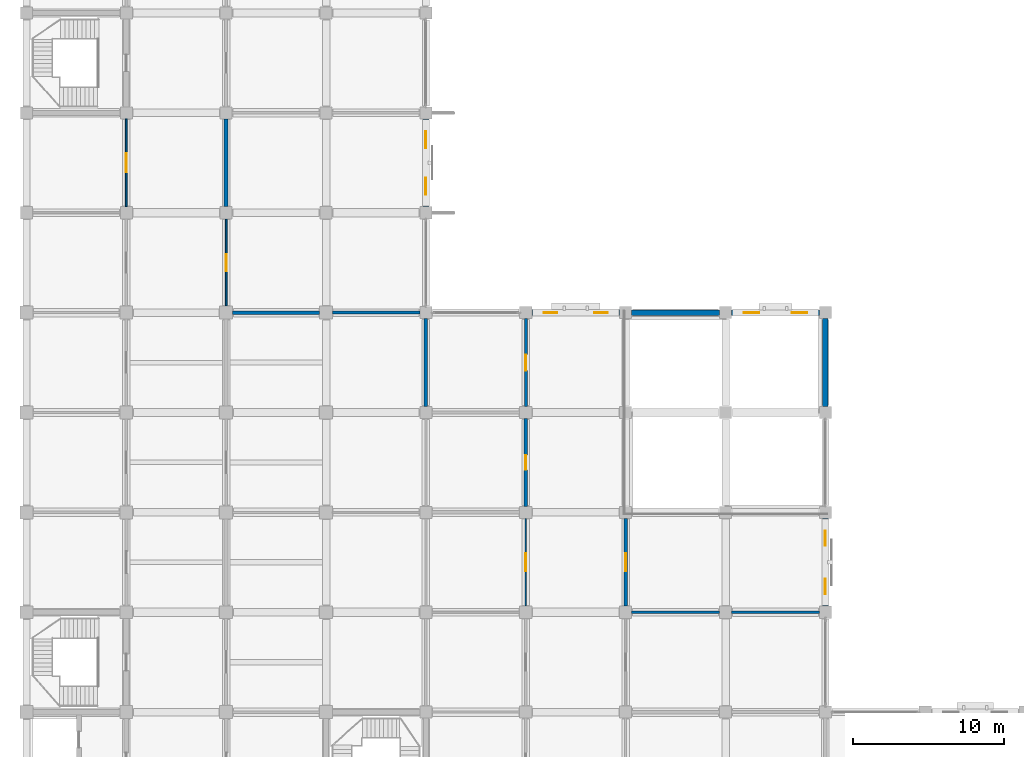
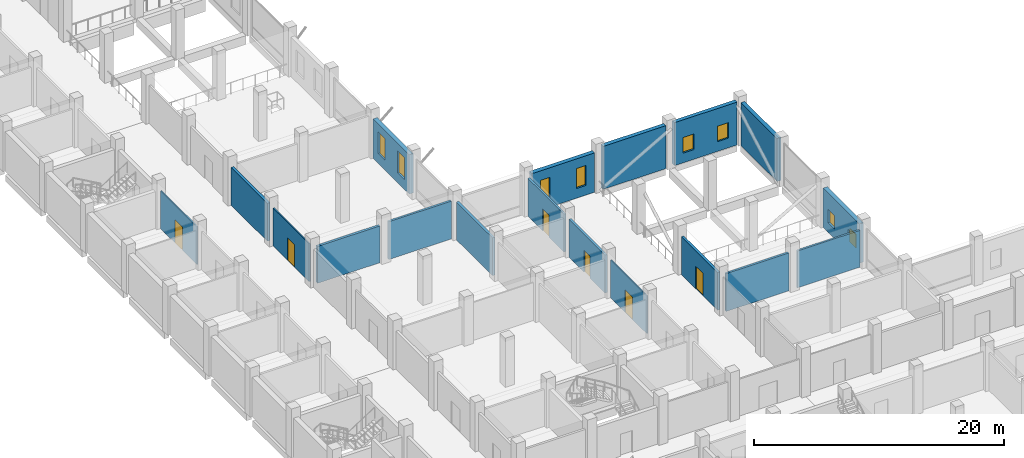
# One storey, part 20 of 34: 18 walls, 8 windows, 6 doors, 14 openings.
"""IFC4 building model written with IfcOpenShell, lengths in metres."""

from ifc_helpers import new_model, si_unit, direction, frame, frame_2d, origin, place, context, subcontext, project, spatial, rectangle, extrude, material, layer, layer_set, type_object, element, fill, save


model = new_model("IFC4")

# Units and contexts
model_context = context("Model", 3, precision=1e-05, world=origin(), true_north=direction((0.0, 1.0)))
body_context = subcontext(model_context, "Body", "Model", "MODEL_VIEW")
ifc_project = project(units=[si_unit("LENGTHUNIT", "METRE"), si_unit("AREAUNIT", "SQUARE_METRE"), si_unit("VOLUMEUNIT", "CUBIC_METRE"), si_unit("PLANEANGLEUNIT", "RADIAN"), si_unit("MASSUNIT", "GRAM", prefix="KILO")], contexts=[model_context])

# Site, building, storey
site_placement = place(None, origin())
site = spatial("IfcSite", under=ifc_project, at=site_placement, CompositionType="ELEMENT")
building_placement = place(site_placement, origin())
building = spatial("IfcBuilding", under=site, at=building_placement, Name="Rusizi Kubbe Research Institute", CompositionType="ELEMENT")
storey_placement = place(building_placement, frame((0.0, 0.0, 5.39990234375)))
storey = spatial("IfcBuildingStorey", under=building, at=storey_placement, Name="L01", CompositionType="ELEMENT", Elevation=5.39990234375)

# Wall, openings, windows
ifc_material_1 = material(Name="Volcanic Basalt Ashlar Masonry", Category="masonry")
ifc_layer_1 = layer(ifc_material_1, 0.385009765625)
ifc_layer_set_1 = layer_set([ifc_layer_1], Name="Volcanic Basalt Ashlar Masonry")
wall_type_1 = type_object("IfcWallType", Name="EW-04", PredefinedType="SOLIDWALL", material=ifc_layer_set_1)
wall_1_placement = place(storey_placement, frame((26.39990234375, 59.800048828125, 0.0), z_axis=(0.0, 0.0, 1.0), x_axis=(0.0, 1.0, 0.0)))
wall_1 = element("IfcWall", 1, at=wall_1_placement, inside=storey, type_object=wall_type_1, Name="Ablaq Stone Exterior Wall L01 V4-9", PredefinedType="SOLIDWALL", context=body_context, shape_type="SweptSolid", body=[
    extrude(rectangle(XDim=5.800048828125, YDim=0.385009765625, at=frame_2d((2.89990234375, 0.0))), origin(), (0.0, 0.0, 1.0), 3.85009765625),
])
opening_1_placement = place(wall_1_placement, frame((0.800048828125, 0.0, 0.949951171875)))
opening_1 = element("IfcOpeningElement", 2, at=opening_1_placement, cuts=wall_1, Name="Opening WN-34", PredefinedType="OPENING", context=body_context, shape_type="SweptSolid", body=[
    extrude(rectangle(XDim=1.1201171875, YDim=2.139892578125, at=frame_2d((0.56005859375, 1.06982421875))), frame((0.0, 0.202392578125, 0.0), z_axis=(0.0, -1.0, 0.0), x_axis=(1.0, 0.0, 0.0)), (0.0, 0.0, 1.0), 0.405029296875),
])
opening_2_placement = place(wall_1_placement, frame((3.8798828125, 0.0, 0.949951171875)))
opening_2 = element("IfcOpeningElement", 3, at=opening_2_placement, cuts=wall_1, Name="Opening WN-34", PredefinedType="OPENING", context=body_context, shape_type="SweptSolid", body=[
    extrude(rectangle(XDim=1.1201171875, YDim=2.139892578125, at=frame_2d((0.56005859375, 1.06982421875))), frame((0.0, 0.202392578125, 0.0), z_axis=(0.0, -1.0, 0.0), x_axis=(1.0, 0.0, 0.0)), (0.0, 0.0, 1.0), 0.405029296875),
])
ifc_material_2 = material(Name="Aluminium Frame and Solar-Control Double Glazing", Category="glass")
window_type_1 = type_object("IfcWindowType", Name="WN-34", PartitioningType="SINGLE_PANEL", PredefinedType="WINDOW", material=ifc_material_2)
window_1_placement = place(opening_1_placement, origin())
window_1 = element("IfcWindow", 4, at=window_1_placement, inside=storey, type_object=window_type_1, Name="Casement Window WN-34 L01", OverallHeight=2.139892578125, OverallWidth=1.1201171875, PartitioningType="SINGLE_PANEL", PredefinedType="WINDOW", context=body_context, shape_type="SweptSolid", body=[
    extrude(rectangle(XDim=1.1201171875, YDim=2.139892578125, at=frame_2d((0.56005859375, 1.06982421875))), frame((0.0, 0.030029296875, 0.0), z_axis=(0.0, -1.0, 0.0), x_axis=(1.0, 0.0, 0.0)), (0.0, 0.0, 1.0), 0.06005859375),
])
fill(opening_1, window_1)
window_2_placement = place(opening_2_placement, origin())
window_2 = element("IfcWindow", 5, at=window_2_placement, inside=storey, type_object=window_type_1, Name="Casement Window WN-34 L01", OverallHeight=2.139892578125, OverallWidth=1.1201171875, PartitioningType="SINGLE_PANEL", PredefinedType="WINDOW", context=body_context, shape_type="SweptSolid", body=[
    extrude(rectangle(XDim=1.1201171875, YDim=2.139892578125, at=frame_2d((0.56005859375, 1.06982421875))), frame((0.0, 0.030029296875, 0.0), z_axis=(0.0, -1.0, 0.0), x_axis=(1.0, 0.0, 0.0)), (0.0, 0.0, 1.0), 0.06005859375),
])
fill(opening_2, window_2)

wall_2_placement = place(storey_placement, frame((33.39990234375, 52.800048828125, 0.0), z_axis=(0.0, 0.0, 1.0), x_axis=(1.0, 0.0, 0.0)))
wall_2 = element("IfcWall", 6, at=wall_2_placement, inside=storey, type_object=wall_type_1, Name="Ablaq Stone Exterior Wall L01 H5-8", PredefinedType="SOLIDWALL", context=body_context, shape_type="SweptSolid", body=[
    extrude(rectangle(XDim=5.800048828125, YDim=0.385009765625, at=frame_2d((2.89990234375, 0.0))), origin(), (0.0, 0.0, 1.0), 3.85009765625),
])
opening_3_placement = place(wall_2_placement, frame((0.800048828125, 0.0, 0.949951171875)))
opening_3 = element("IfcOpeningElement", 7, at=opening_3_placement, cuts=wall_2, Name="Opening WN-04", PredefinedType="OPENING", context=body_context, shape_type="SweptSolid", body=[
    extrude(rectangle(XDim=0.8798828125, YDim=1.9599609375, at=frame_2d((0.43994140625, 0.97998046875))), frame((0.0, 0.202392578125, 0.0), z_axis=(0.0, -1.0, 0.0), x_axis=(1.0, 0.0, 0.0)), (0.0, 0.0, 1.0), 0.405029296875),
])
opening_4_placement = place(wall_2_placement, frame((4.1201171875, 0.0, 0.949951171875)))
opening_4 = element("IfcOpeningElement", 8, at=opening_4_placement, cuts=wall_2, Name="Opening WN-04", PredefinedType="OPENING", context=body_context, shape_type="SweptSolid", body=[
    extrude(rectangle(XDim=0.8798828125, YDim=1.9599609375, at=frame_2d((0.43994140625, 0.97998046875))), frame((0.0, 0.202392578125, 0.0), z_axis=(0.0, -1.0, 0.0), x_axis=(1.0, 0.0, 0.0)), (0.0, 0.0, 1.0), 0.405029296875),
])
ifc_material_3 = material(Name="Aluminium Frame and Solar-Control Double Glazing", Category="glass")
window_type_2 = type_object("IfcWindowType", Name="WN-04", PartitioningType="SINGLE_PANEL", PredefinedType="WINDOW", material=ifc_material_3)
window_3_placement = place(opening_3_placement, origin())
window_3 = element("IfcWindow", 9, at=window_3_placement, inside=storey, type_object=window_type_2, Name="Casement Window WN-04 L01", OverallHeight=1.9599609375, OverallWidth=0.8798828125, PartitioningType="SINGLE_PANEL", PredefinedType="WINDOW", context=body_context, shape_type="SweptSolid", body=[
    extrude(rectangle(XDim=0.8798828125, YDim=1.9599609375, at=frame_2d((0.43994140625, 0.97998046875))), frame((0.0, 0.030029296875, 0.0), z_axis=(0.0, -1.0, 0.0), x_axis=(1.0, 0.0, 0.0)), (0.0, 0.0, 1.0), 0.06005859375),
])
fill(opening_3, window_3)
window_4_placement = place(opening_4_placement, origin())
window_4 = element("IfcWindow", 10, at=window_4_placement, inside=storey, type_object=window_type_2, Name="Casement Window WN-04 L01", OverallHeight=1.9599609375, OverallWidth=0.8798828125, PartitioningType="SINGLE_PANEL", PredefinedType="WINDOW", context=body_context, shape_type="SweptSolid", body=[
    extrude(rectangle(XDim=0.8798828125, YDim=1.9599609375, at=frame_2d((0.43994140625, 0.97998046875))), frame((0.0, 0.030029296875, 0.0), z_axis=(0.0, -1.0, 0.0), x_axis=(1.0, 0.0, 0.0)), (0.0, 0.0, 1.0), 0.06005859375),
])
fill(opening_4, window_4)

wall_3_placement = place(storey_placement, frame((52.800048828125, 33.39990234375, 0.0), z_axis=(0.0, 0.0, 1.0), x_axis=(0.0, 1.0, 0.0)))
wall_3 = element("IfcWall", 11, at=wall_3_placement, inside=storey, type_object=wall_type_1, Name="Ablaq Stone Exterior Wall L01 V8-5", PredefinedType="SOLIDWALL", context=body_context, shape_type="SweptSolid", body=[
    extrude(rectangle(XDim=5.800048828125, YDim=0.385009765625, at=frame_2d((2.89990234375, 0.0))), origin(), (0.0, 0.0, 1.0), 3.85009765625),
])
opening_5_placement = place(wall_3_placement, frame((0.800048828125, 0.0, 0.949951171875)))
opening_5 = element("IfcOpeningElement", 12, at=opening_5_placement, cuts=wall_3, Name="Opening WN-05", PredefinedType="OPENING", context=body_context, shape_type="SweptSolid", body=[
    extrude(rectangle(XDim=1.02001953125, YDim=1.300048828125, at=frame_2d((0.510009765625, 0.64990234375))), frame((0.0, 0.202392578125, 0.0), z_axis=(0.0, -1.0, 0.0), x_axis=(1.0, 0.0, 0.0)), (0.0, 0.0, 1.0), 0.405029296875),
])
opening_6_placement = place(wall_3_placement, frame((3.97998046875, 0.0, 0.949951171875)))
opening_6 = element("IfcOpeningElement", 13, at=opening_6_placement, cuts=wall_3, Name="Opening WN-05", PredefinedType="OPENING", context=body_context, shape_type="SweptSolid", body=[
    extrude(rectangle(XDim=1.02001953125, YDim=1.300048828125, at=frame_2d((0.510009765625, 0.64990234375))), frame((0.0, 0.202392578125, 0.0), z_axis=(0.0, -1.0, 0.0), x_axis=(1.0, 0.0, 0.0)), (0.0, 0.0, 1.0), 0.405029296875),
])
ifc_material_4 = material(Name="Aluminium Frame and Solar-Control Double Glazing", Category="glass")
window_type_3 = type_object("IfcWindowType", Name="WN-05", PartitioningType="SINGLE_PANEL", PredefinedType="WINDOW", material=ifc_material_4)
window_5_placement = place(opening_5_placement, origin())
window_5 = element("IfcWindow", 14, at=window_5_placement, inside=storey, type_object=window_type_3, Name="Casement Window WN-05 L01", OverallHeight=1.300048828125, OverallWidth=1.02001953125, PartitioningType="SINGLE_PANEL", PredefinedType="WINDOW", context=body_context, shape_type="SweptSolid", body=[
    extrude(rectangle(XDim=1.02001953125, YDim=1.300048828125, at=frame_2d((0.510009765625, 0.64990234375))), frame((0.0, 0.030029296875, 0.0), z_axis=(0.0, -1.0, 0.0), x_axis=(1.0, 0.0, 0.0)), (0.0, 0.0, 1.0), 0.06005859375),
])
fill(opening_5, window_5)
window_6_placement = place(opening_6_placement, origin())
window_6 = element("IfcWindow", 15, at=window_6_placement, inside=storey, type_object=window_type_3, Name="Casement Window WN-05 L01", OverallHeight=1.300048828125, OverallWidth=1.02001953125, PartitioningType="SINGLE_PANEL", PredefinedType="WINDOW", context=body_context, shape_type="SweptSolid", body=[
    extrude(rectangle(XDim=1.02001953125, YDim=1.300048828125, at=frame_2d((0.510009765625, 0.64990234375))), frame((0.0, 0.030029296875, 0.0), z_axis=(0.0, -1.0, 0.0), x_axis=(1.0, 0.0, 0.0)), (0.0, 0.0, 1.0), 0.06005859375),
])
fill(opening_6, window_6)

# Wall
ifc_material_5 = material(Name="Volcanic Basalt Ashlar Masonry", Category="masonry")
ifc_layer_2 = layer(ifc_material_5, 0.3701171875)
ifc_layer_set_2 = layer_set([ifc_layer_2], Name="Volcanic Basalt Ashlar Masonry")
wall_type_2 = type_object("IfcWallType", Name="EW-05", PredefinedType="SOLIDWALL", material=ifc_layer_set_2)
wall_4_placement = place(storey_placement, frame((40.0, 52.800048828125, 0.0), z_axis=(0.0, 0.0, 1.0), x_axis=(1.0, 0.0, 0.0)))
element("IfcWall", 16, at=wall_4_placement, inside=storey, type_object=wall_type_2, Name="Ablaq Stone Exterior Wall L01 H6-8", PredefinedType="SOLIDWALL", context=body_context, shape_type="SweptSolid", body=[
    extrude(rectangle(XDim=5.800048828125, YDim=0.3701171875, at=frame_2d((2.89990234375, 0.0))), origin(), (0.0, 0.0, 1.0), 4.2001953125),
])

# Wall, openings, windows
ifc_material_6 = material(Name="Volcanic Basalt Ashlar Masonry", Category="masonry")
ifc_layer_3 = layer(ifc_material_6, 0.35498046875)
ifc_layer_set_3 = layer_set([ifc_layer_3], Name="Volcanic Basalt Ashlar Masonry")
wall_type_3 = type_object("IfcWallType", Name="EW-06", PredefinedType="SOLIDWALL", material=ifc_layer_set_3)
wall_5_placement = place(storey_placement, frame((46.60009765625, 52.800048828125, 0.0), z_axis=(0.0, 0.0, 1.0), x_axis=(1.0, 0.0, 0.0)))
wall_5 = element("IfcWall", 17, at=wall_5_placement, inside=storey, type_object=wall_type_3, Name="Ablaq Stone Exterior Wall L01 H7-8", PredefinedType="SOLIDWALL", context=body_context, shape_type="SweptSolid", body=[
    extrude(rectangle(XDim=5.7998046875, YDim=0.35498046875, at=frame_2d((2.89990234375, 0.0))), origin(), (0.0, 0.0, 1.0), 4.2001953125),
])
opening_7_placement = place(wall_5_placement, frame((0.800048828125, 0.0, 0.949951171875)))
opening_7 = element("IfcOpeningElement", 18, at=opening_7_placement, cuts=wall_5, Name="Opening WN-06", PredefinedType="OPENING", context=body_context, shape_type="SweptSolid", body=[
    extrude(rectangle(XDim=1.02001953125, YDim=1.52001953125, at=frame_2d((0.510009765625, 0.760009765625))), frame((0.0, 0.1875, 0.0), z_axis=(0.0, -1.0, 0.0), x_axis=(1.0, 0.0, 0.0)), (0.0, 0.0, 1.0), 0.375),
])
opening_8_placement = place(wall_5_placement, frame((3.97998046875, 0.0, 0.949951171875)))
opening_8 = element("IfcOpeningElement", 19, at=opening_8_placement, cuts=wall_5, Name="Opening WN-06", PredefinedType="OPENING", context=body_context, shape_type="SweptSolid", body=[
    extrude(rectangle(XDim=1.02001953125, YDim=1.52001953125, at=frame_2d((0.510009765625, 0.760009765625))), frame((0.0, 0.1875, 0.0), z_axis=(0.0, -1.0, 0.0), x_axis=(1.0, 0.0, 0.0)), (0.0, 0.0, 1.0), 0.375),
])
ifc_material_7 = material(Name="Aluminium Frame and Solar-Control Double Glazing", Category="glass")
window_type_4 = type_object("IfcWindowType", Name="WN-06", PartitioningType="SINGLE_PANEL", PredefinedType="WINDOW", material=ifc_material_7)
window_7_placement = place(opening_7_placement, origin())
window_7 = element("IfcWindow", 20, at=window_7_placement, inside=storey, type_object=window_type_4, Name="Casement Window WN-06 L01", OverallHeight=1.52001953125, OverallWidth=1.02001953125, PartitioningType="SINGLE_PANEL", PredefinedType="WINDOW", context=body_context, shape_type="SweptSolid", body=[
    extrude(rectangle(XDim=1.02001953125, YDim=1.52001953125, at=frame_2d((0.510009765625, 0.760009765625))), frame((0.0, 0.030029296875, 0.0), z_axis=(0.0, -1.0, 0.0), x_axis=(1.0, 0.0, 0.0)), (0.0, 0.0, 1.0), 0.06005859375),
])
fill(opening_7, window_7)
window_8_placement = place(opening_8_placement, origin())
window_8 = element("IfcWindow", 21, at=window_8_placement, inside=storey, type_object=window_type_4, Name="Casement Window WN-06 L01", OverallHeight=1.52001953125, OverallWidth=1.02001953125, PartitioningType="SINGLE_PANEL", PredefinedType="WINDOW", context=body_context, shape_type="SweptSolid", body=[
    extrude(rectangle(XDim=1.02001953125, YDim=1.52001953125, at=frame_2d((0.510009765625, 0.760009765625))), frame((0.0, 0.030029296875, 0.0), z_axis=(0.0, -1.0, 0.0), x_axis=(1.0, 0.0, 0.0)), (0.0, 0.0, 1.0), 0.06005859375),
])
fill(opening_8, window_8)

# Walls
wall_6_placement = place(storey_placement, frame((52.800048828125, 46.60009765625, 0.0), z_axis=(0.0, 0.0, 1.0), x_axis=(0.0, 1.0, 0.0)))
element("IfcWall", 22, at=wall_6_placement, inside=storey, type_object=wall_type_3, Name="Ablaq Stone Exterior Wall L01 V8-7", PredefinedType="SOLIDWALL", context=body_context, shape_type="SweptSolid", body=[
    extrude(rectangle(XDim=5.7998046875, YDim=0.35498046875, at=frame_2d((2.89990234375, 0.0))), origin(), (0.0, 0.0, 1.0), 4.2001953125),
])
ifc_material_8 = material(Name="Concrete Blockwork Fire Partition", Category="masonry")
ifc_layer_4 = layer(ifc_material_8, 0.22509765625)
ifc_layer_set_4 = layer_set([ifc_layer_4], Name="Concrete Blockwork Fire Partition")
wall_type_4 = type_object("IfcWallType", Name="IW-01", PredefinedType="PARTITIONING", material=ifc_layer_set_4)
wall_7_placement = place(storey_placement, frame((13.625, 52.800048828125, 0.0), z_axis=(0.0, 0.0, 1.0), x_axis=(1.0, 0.0, 0.0)))
element("IfcWall", 23, at=wall_7_placement, inside=storey, type_object=wall_type_4, Name="Interior Partition Wall L01 H2-8", PredefinedType="PARTITIONING", context=body_context, shape_type="SweptSolid", body=[
    extrude(rectangle(XDim=5.75, YDim=0.22509765625, at=frame_2d((2.875, 0.0))), origin(), (0.0, 0.0, 1.0), 3.60009765625),
])
wall_8_placement = place(storey_placement, frame((26.39990234375, 46.60009765625, 0.0), z_axis=(0.0, 0.0, 1.0), x_axis=(0.0, 1.0, 0.0)))
element("IfcWall", 24, at=wall_8_placement, inside=storey, type_object=wall_type_4, Name="Interior Partition Wall L01 V4-7", PredefinedType="PARTITIONING", context=body_context, shape_type="SweptSolid", body=[
    extrude(rectangle(XDim=5.7998046875, YDim=0.22509765625, at=frame_2d((2.89990234375, 0.0))), origin(), (0.0, 0.0, 1.0), 3.7001953125),
])

# Wall, opening, door
wall_9_placement = place(storey_placement, frame((33.0, 40.0, 0.0), z_axis=(0.0, 0.0, 1.0), x_axis=(0.0, 1.0, 0.0)))
wall_9 = element("IfcWall", 25, at=wall_9_placement, inside=storey, type_object=wall_type_4, Name="Interior Partition Wall L01 V5-6", PredefinedType="PARTITIONING", context=body_context, shape_type="SweptSolid", body=[
    extrude(rectangle(XDim=5.800048828125, YDim=0.22509765625, at=frame_2d((2.89990234375, 0.0))), origin(), (0.0, 0.0, 1.0), 3.7001953125),
])
opening_9_placement = place(wall_9_placement, frame((2.409912109375, 0.0, 0.0)))
opening_9 = element("IfcOpeningElement", 26, at=opening_9_placement, cuts=wall_9, Name="Opening D-20", PredefinedType="OPENING", context=body_context, shape_type="SweptSolid", body=[
    extrude(rectangle(XDim=0.97998046875, YDim=2.14990234375, at=frame_2d((0.489990234375, 1.074951171875))), frame((0.0, 0.12255859375, 0.0), z_axis=(0.0, -1.0, 0.0), x_axis=(1.0, 0.0, 0.0)), (0.0, 0.0, 1.0), 0.2451171875),
])
ifc_material_9 = material(Name="Fire-Rated Steel Frame and Acoustic Timber Leaf", Category="wood")
door_type_1 = type_object("IfcDoorType", Name="ID-OFF-980", OperationType="NOTDEFINED", PredefinedType="DOOR", material=ifc_material_9)
door_1_placement = place(opening_9_placement, origin())
door_1 = element("IfcDoor", 27, at=door_1_placement, inside=storey, type_object=door_type_1, Name="Door to Write-up Office (L01-ELBW-06)", OperationType="SINGLE_SWING_LEFT", OverallHeight=2.14990234375, OverallWidth=0.97998046875, PredefinedType="DOOR", context=body_context, shape_type="SweptSolid", body=[
    extrude(rectangle(XDim=0.97998046875, YDim=2.14990234375, at=frame_2d((0.489990234375, 1.074951171875))), frame((0.0, 0.02490234375, 0.0), z_axis=(0.0, -1.0, 0.0), x_axis=(1.0, 0.0, 0.0)), (0.0, 0.0, 1.0), 0.050048828125),
])
fill(opening_9, door_1)

wall_10_placement = place(storey_placement, frame((39.60009765625, 33.39990234375, 0.0), z_axis=(0.0, 0.0, 1.0), x_axis=(0.0, 1.0, 0.0)))
wall_10 = element("IfcWall", 28, at=wall_10_placement, inside=storey, type_object=wall_type_4, Name="Interior Partition Wall L01 V6-5", PredefinedType="PARTITIONING", context=body_context, shape_type="SweptSolid", body=[
    extrude(rectangle(XDim=5.800048828125, YDim=0.22509765625, at=frame_2d((2.89990234375, 0.0))), origin(), (0.0, 0.0, 1.0), 3.7001953125),
])
opening_10_placement = place(wall_10_placement, frame((2.31005859375, 0.0, 0.0)))
opening_10 = element("IfcOpeningElement", 29, at=opening_10_placement, cuts=wall_10, Name="Opening D-19", PredefinedType="OPENING", context=body_context, shape_type="SweptSolid", body=[
    extrude(rectangle(XDim=1.179931640625, YDim=2.199951171875, at=frame_2d((0.58984375, 1.10009765625))), frame((0.0, 0.12255859375, 0.0), z_axis=(0.0, -1.0, 0.0), x_axis=(1.0, 0.0, 0.0)), (0.0, 0.0, 1.0), 0.2451171875),
])
ifc_material_10 = material(Name="Fire-Rated Steel Frame and Acoustic Timber Leaf", Category="wood")
door_type_2 = type_object("IfcDoorType", Name="ID-OFF-118", OperationType="NOTDEFINED", PredefinedType="DOOR", material=ifc_material_10)
door_2_placement = place(opening_10_placement, origin())
door_2 = element("IfcDoor", 30, at=door_2_placement, inside=storey, type_object=door_type_2, Name="Door to Write-up Office (L01-ELBE-05)", OperationType="SINGLE_SWING_RIGHT", OverallHeight=2.199951171875, OverallWidth=1.179931640625, PredefinedType="DOOR", context=body_context, shape_type="SweptSolid", body=[
    extrude(rectangle(XDim=1.179931640625, YDim=2.199951171875, at=frame_2d((0.58984375, 1.10009765625))), frame((0.0, 0.02490234375, 0.0), z_axis=(0.0, -1.0, 0.0), x_axis=(1.0, 0.0, 0.0)), (0.0, 0.0, 1.0), 0.050048828125),
])
fill(opening_10, door_2)

# Wall
ifc_material_11 = material(Name="Insulated Cleanroom Partition", Category="masonry")
ifc_layer_5 = layer(ifc_material_11, 0.195068359375)
ifc_layer_set_5 = layer_set([ifc_layer_5], Name="Insulated Cleanroom Partition")
wall_type_5 = type_object("IfcWallType", Name="IW-02", PredefinedType="PARTITIONING", material=ifc_layer_set_5)
wall_11_placement = place(storey_placement, frame((20.22509765625, 52.800048828125, 0.0), z_axis=(0.0, 0.0, 1.0), x_axis=(1.0, 0.0, 0.0)))
element("IfcWall", 31, at=wall_11_placement, inside=storey, type_object=wall_type_5, Name="Interior Partition Wall L01 H3-8", PredefinedType="PARTITIONING", context=body_context, shape_type="SweptSolid", body=[
    extrude(rectangle(XDim=5.77490234375, YDim=0.195068359375, at=frame_2d((2.887451171875, 0.0))), origin(), (0.0, 0.0, 1.0), 3.7001953125),
])

# Wall, opening, door
wall_12_placement = place(storey_placement, frame((33.0, 46.60009765625, 0.0), z_axis=(0.0, 0.0, 1.0), x_axis=(0.0, 1.0, 0.0)))
wall_12 = element("IfcWall", 32, at=wall_12_placement, inside=storey, type_object=wall_type_5, Name="Interior Partition Wall L01 V5-7", PredefinedType="PARTITIONING", context=body_context, shape_type="SweptSolid", body=[
    extrude(rectangle(XDim=5.7998046875, YDim=0.195068359375, at=frame_2d((2.89990234375, 0.0))), origin(), (0.0, 0.0, 1.0), 3.7001953125),
])
opening_11_placement = place(wall_12_placement, frame((2.375, 0.0, 0.0)))
opening_11 = element("IfcOpeningElement", 33, at=opening_11_placement, cuts=wall_12, Name="Opening D-16", PredefinedType="OPENING", context=body_context, shape_type="SweptSolid", body=[
    extrude(rectangle(XDim=1.050048828125, YDim=2.14990234375, at=frame_2d((0.52490234375, 1.074951171875))), frame((0.0, 0.107421875, 0.0), z_axis=(0.0, -1.0, 0.0), x_axis=(1.0, 0.0, 0.0)), (0.0, 0.0, 1.0), 0.215087890625),
])
ifc_material_12 = material(Name="Fire-Rated Steel Frame and Acoustic Timber Leaf", Category="wood")
door_type_3 = type_object("IfcDoorType", Name="ID-OFF-105", OperationType="NOTDEFINED", PredefinedType="DOOR", material=ifc_material_12)
door_3_placement = place(opening_11_placement, origin())
door_3 = element("IfcDoor", 34, at=door_3_placement, inside=storey, type_object=door_type_3, Name="Door to Write-up Office (L01-ELBW-07)", OperationType="SINGLE_SWING_LEFT", OverallHeight=2.14990234375, OverallWidth=1.050048828125, PredefinedType="DOOR", context=body_context, shape_type="SweptSolid", body=[
    extrude(rectangle(XDim=1.050048828125, YDim=2.14990234375, at=frame_2d((0.52490234375, 1.074951171875))), frame((0.0, 0.02490234375, 0.0), z_axis=(0.0, -1.0, 0.0), x_axis=(1.0, 0.0, 0.0)), (0.0, 0.0, 1.0), 0.050048828125),
])
fill(opening_11, door_3)

# Walls
wall_13_placement = place(storey_placement, frame((40.0, 33.0, 0.0), z_axis=(0.0, 0.0, 1.0), x_axis=(1.0, 0.0, 0.0)))
element("IfcWall", 35, at=wall_13_placement, inside=storey, type_object=wall_type_5, Name="Interior Partition Wall L01 H6-5", PredefinedType="PARTITIONING", context=body_context, shape_type="SweptSolid", body=[
    extrude(rectangle(XDim=5.800048828125, YDim=0.195068359375, at=frame_2d((2.89990234375, 0.0))), origin(), (0.0, 0.0, 1.0), 3.7001953125),
])
ifc_material_13 = material(Name="Acoustic Laboratory Partition", Category="masonry")
ifc_layer_6 = layer(ifc_material_13, 0.175048828125)
ifc_layer_set_6 = layer_set([ifc_layer_6], Name="Acoustic Laboratory Partition")
wall_type_6 = type_object("IfcWallType", Name="IW-03", PredefinedType="PARTITIONING", material=ifc_layer_set_6)
wall_14_placement = place(storey_placement, frame((46.60009765625, 33.0, 0.0), z_axis=(0.0, 0.0, 1.0), x_axis=(1.0, 0.0, 0.0)))
element("IfcWall", 36, at=wall_14_placement, inside=storey, type_object=wall_type_6, Name="Interior Partition Wall L01 H7-5", PredefinedType="PARTITIONING", context=body_context, shape_type="SweptSolid", body=[
    extrude(rectangle(XDim=5.7998046875, YDim=0.175048828125, at=frame_2d((2.89990234375, 0.0))), origin(), (0.0, 0.0, 1.0), 3.60009765625),
])

# Wall, opening, door
ifc_material_14 = material(Name="Sub-Suite Fire Partition", Category="masonry")
ifc_layer_7 = layer(ifc_material_14, 0.110107421875)
ifc_layer_set_7 = layer_set([ifc_layer_7], Name="Sub-Suite Fire Partition")
wall_type_7 = type_object("IfcWallType", Name="IW-07", PredefinedType="PARTITIONING", material=ifc_layer_set_7)
wall_15_placement = place(storey_placement, frame((6.60009765625, 59.800048828125, 0.0), z_axis=(0.0, 0.0, 1.0), x_axis=(0.0, 1.0, 0.0)))
wall_15 = element("IfcWall", 37, at=wall_15_placement, inside=storey, type_object=wall_type_7, Name="Interior Partition Wall L01 V1-9", PredefinedType="PARTITIONING", context=body_context, shape_type="SweptSolid", body=[
    extrude(rectangle(XDim=5.800048828125, YDim=0.110107421875, at=frame_2d((2.89990234375, 0.0))), origin(), (0.0, 0.0, 1.0), 3.7001953125),
])
opening_12_placement = place(wall_15_placement, frame((2.27490234375, 0.0, 0.0)))
opening_12 = element("IfcOpeningElement", 38, at=opening_12_placement, cuts=wall_15, Name="Opening D-15", PredefinedType="OPENING", context=body_context, shape_type="SweptSolid", body=[
    extrude(rectangle(XDim=1.25, YDim=2.25, at=frame_2d((0.625, 1.125))), frame((0.0, 0.06494140625, 0.0), z_axis=(0.0, -1.0, 0.0), x_axis=(1.0, 0.0, 0.0)), (0.0, 0.0, 1.0), 0.130126953125),
])
ifc_material_15 = material(Name="Fire-Rated Steel Frame and Acoustic Timber Leaf", Category="wood")
door_type_4 = type_object("IfcDoorType", Name="ID-LAB-125", OperationType="NOTDEFINED", PredefinedType="DOOR", material=ifc_material_15)
door_4_placement = place(opening_12_placement, origin())
door_4 = element("IfcDoor", 39, at=door_4_placement, inside=storey, type_object=door_type_4, Name="Door to Clean Room Metrology Laboratory (L01-WSP-09)", OperationType="SINGLE_SWING_LEFT", OverallHeight=2.25, OverallWidth=1.25, PredefinedType="DOOR", context=body_context, shape_type="SweptSolid", body=[
    extrude(rectangle(XDim=1.25, YDim=2.25, at=frame_2d((0.625, 1.125))), frame((0.0, 0.02490234375, 0.0), z_axis=(0.0, -1.0, 0.0), x_axis=(1.0, 0.0, 0.0)), (0.0, 0.0, 1.0), 0.050048828125),
])
fill(opening_12, door_4)

wall_16_placement = place(storey_placement, frame((13.199951171875, 53.22509765625, 0.0), z_axis=(0.0, 0.0, 1.0), x_axis=(0.0, 1.0, 0.0)))
wall_16 = element("IfcWall", 40, at=wall_16_placement, inside=storey, type_object=wall_type_7, Name="Interior Partition Wall L01 V2-8", PredefinedType="PARTITIONING", context=body_context, shape_type="SweptSolid", body=[
    extrude(rectangle(XDim=5.77490234375, YDim=0.110107421875, at=frame_2d((2.887451171875, 0.0))), origin(), (0.0, 0.0, 1.0), 3.7001953125),
])
opening_13_placement = place(wall_16_placement, frame((2.31494140625, 0.0, 0.0)))
opening_13 = element("IfcOpeningElement", 41, at=opening_13_placement, cuts=wall_16, Name="Opening D-18", PredefinedType="OPENING", context=body_context, shape_type="SweptSolid", body=[
    extrude(rectangle(XDim=1.1201171875, YDim=2.199951171875, at=frame_2d((0.56005859375, 1.10009765625))), frame((0.0, 0.06494140625, 0.0), z_axis=(0.0, -1.0, 0.0), x_axis=(1.0, 0.0, 0.0)), (0.0, 0.0, 1.0), 0.130126953125),
])
ifc_material_16 = material(Name="Fire-Rated Steel Frame and Acoustic Timber Leaf", Category="wood")
door_type_5 = type_object("IfcDoorType", Name="ID-OFF-112", OperationType="NOTDEFINED", PredefinedType="DOOR", material=ifc_material_16)
door_5_placement = place(opening_13_placement, origin())
door_5 = element("IfcDoor", 42, at=door_5_placement, inside=storey, type_object=door_type_5, Name="Door to Write-up Office (L01-NW-04)", OperationType="SINGLE_SWING_LEFT", OverallHeight=2.199951171875, OverallWidth=1.1201171875, PredefinedType="DOOR", context=body_context, shape_type="SweptSolid", body=[
    extrude(rectangle(XDim=1.1201171875, YDim=2.199951171875, at=frame_2d((0.56005859375, 1.10009765625))), frame((0.0, 0.02490234375, 0.0), z_axis=(0.0, -1.0, 0.0), x_axis=(1.0, 0.0, 0.0)), (0.0, 0.0, 1.0), 0.050048828125),
])
fill(opening_13, door_5)

wall_17_placement = place(storey_placement, frame((33.0, 33.39990234375, 0.0), z_axis=(0.0, 0.0, 1.0), x_axis=(0.0, 1.0, 0.0)))
wall_17 = element("IfcWall", 43, at=wall_17_placement, inside=storey, type_object=wall_type_7, Name="Interior Partition Wall L01 V5-5", PredefinedType="PARTITIONING", context=body_context, shape_type="SweptSolid", body=[
    extrude(rectangle(XDim=5.800048828125, YDim=0.110107421875, at=frame_2d((2.89990234375, 0.0))), origin(), (0.0, 0.0, 1.0), 3.7001953125),
])
opening_14_placement = place(wall_17_placement, frame((2.31005859375, 0.0, 0.0)))
opening_14 = element("IfcOpeningElement", 44, at=opening_14_placement, cuts=wall_17, Name="Opening D-19", PredefinedType="OPENING", context=body_context, shape_type="SweptSolid", body=[
    extrude(rectangle(XDim=1.179931640625, YDim=2.199951171875, at=frame_2d((0.58984375, 1.10009765625))), frame((0.0, 0.06494140625, 0.0), z_axis=(0.0, -1.0, 0.0), x_axis=(1.0, 0.0, 0.0)), (0.0, 0.0, 1.0), 0.130126953125),
])
door_6_placement = place(opening_14_placement, origin())
door_6 = element("IfcDoor", 45, at=door_6_placement, inside=storey, type_object=door_type_2, Name="Door to Write-up Office (L01-ELBW-05)", OperationType="SINGLE_SWING_RIGHT", OverallHeight=2.199951171875, OverallWidth=1.179931640625, PredefinedType="DOOR", context=body_context, shape_type="SweptSolid", body=[
    extrude(rectangle(XDim=1.179931640625, YDim=2.199951171875, at=frame_2d((0.58984375, 1.10009765625))), frame((0.0, 0.02490234375, 0.0), z_axis=(0.0, -1.0, 0.0), x_axis=(1.0, 0.0, 0.0)), (0.0, 0.0, 1.0), 0.050048828125),
])
fill(opening_14, door_6)

# Wall
ifc_material_17 = material(Name="Concrete C40/50", Category="concrete")
ifc_layer_8 = layer(ifc_material_17, 0.2548828125)
ifc_layer_set_8 = layer_set([ifc_layer_8], Name="Concrete C40/50")
wall_type_8 = type_object("IfcWallType", Name="SHW-02", PredefinedType="SHEAR", material=ifc_layer_set_8)
wall_18_placement = place(storey_placement, frame((13.199951171875, 59.800048828125, 0.0), z_axis=(0.0, 0.0, 1.0), x_axis=(0.0, 1.0, 0.0)))
element("IfcWall", 46, at=wall_18_placement, inside=storey, type_object=wall_type_8, Name="Interior Partition Wall L01 V2-9", PredefinedType="SHEAR", context=body_context, shape_type="SweptSolid", body=[
    extrude(rectangle(XDim=5.800048828125, YDim=0.2548828125, at=frame_2d((2.89990234375, 0.0))), origin(), (0.0, 0.0, 1.0), 3.7001953125),
])

save(model, "model.ifc")
